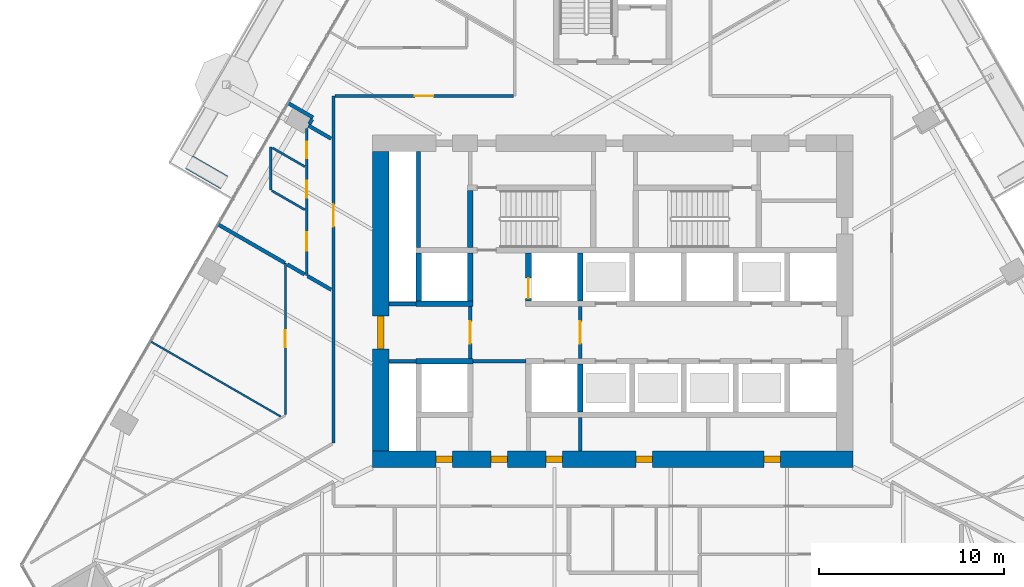
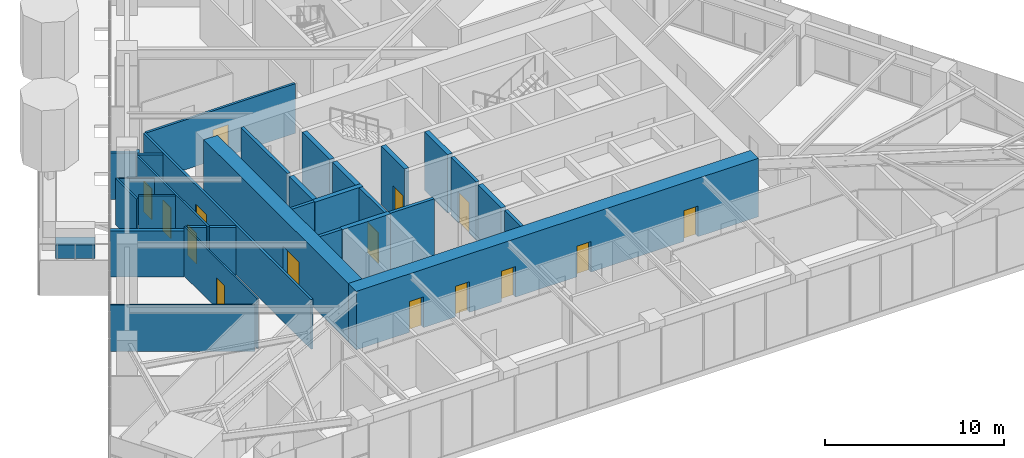
# One storey, part 17 of 25: 32 walls, 15 doors, 15 openings.
"""IFC4 building model written with IfcOpenShell, lengths in metres."""

from ifc_helpers import new_model, si_unit, direction, frame, frame_2d, origin, place, context, subcontext, project, spatial, rectangle, extrude, material, layer, layer_set, type_object, element, fill, save


model = new_model("IFC4")

# Units and contexts
model_context = context("Model", 3, precision=1e-05, world=origin(), true_north=direction((0.0, 1.0)))
body_context = subcontext(model_context, "Body", "Model", "MODEL_VIEW")
ifc_project = project(units=[si_unit("LENGTHUNIT", "METRE"), si_unit("AREAUNIT", "SQUARE_METRE"), si_unit("VOLUMEUNIT", "CUBIC_METRE"), si_unit("PLANEANGLEUNIT", "RADIAN"), si_unit("MASSUNIT", "GRAM", prefix="KILO")], contexts=[model_context])

# Site, building, storey
site_placement = place(None, origin())
site = spatial("IfcSite", under=ifc_project, at=site_placement, CompositionType="ELEMENT")
building_placement = place(site_placement, origin())
building = spatial("IfcBuilding", under=site, at=building_placement, Name="Firuza Gate Tower and Library", CompositionType="ELEMENT")
storey_placement = place(building_placement, frame((0.0, 0.0, 86.199951171875)))
storey = spatial("IfcBuildingStorey", under=building, at=storey_placement, Name="L19", CompositionType="ELEMENT", Elevation=86.199951171875)

# Walls
ifc_material_1 = material(Name="Plasterboard on steel studs", Category="steel")
ifc_layer_1 = layer(ifc_material_1, 0.199951171875)
ifc_layer_set_1 = layer_set([ifc_layer_1], Name="Core partition 200 EI 120")
wall_type_1 = type_object("IfcWallType", Name="Core partition 200 EI 120", PredefinedType="PARTITIONING", material=ifc_layer_set_1)
wall_1_placement = place(storey_placement, frame((62.89990234375, 71.75, 0.0), z_axis=(0.0, 0.0, 1.0), x_axis=(1.0, 0.0, 0.0)))
element("IfcWall", 1, at=wall_1_placement, inside=storey, type_object=wall_type_1, Name="Core partition L19 1", PredefinedType="PARTITIONING", context=body_context, shape_type="SweptSolid", body=[
    extrude(rectangle(XDim=1.4501953125, YDim=0.199951171875, at=frame_2d((0.72509765625, 0.0))), origin(), (0.0, 0.0, 1.0), 4.0),
])
wall_2_placement = place(storey_placement, frame((67.449951171875, 71.75, 0.0), z_axis=(0.0, 0.0, 1.0), x_axis=(1.0, 0.0, 0.0)))
element("IfcWall", 2, at=wall_2_placement, inside=storey, type_object=wall_type_1, Name="Core partition L19 2", PredefinedType="PARTITIONING", context=body_context, shape_type="SweptSolid", body=[
    extrude(rectangle(XDim=2.85009765625, YDim=0.199951171875, at=frame_2d((1.425048828125, 0.0))), origin(), (0.0, 0.0, 1.0), 4.0),
])
wall_3_placement = place(storey_placement, frame((62.89990234375, 74.85009765625, 0.0), z_axis=(0.0, 0.0, 1.0), x_axis=(1.0, 0.0, 0.0)))
element("IfcWall", 3, at=wall_3_placement, inside=storey, type_object=wall_type_1, Name="Core partition L19 3", PredefinedType="PARTITIONING", context=body_context, shape_type="SweptSolid", body=[
    extrude(rectangle(XDim=1.4501953125, YDim=0.199951171875, at=frame_2d((0.72509765625, 0.0))), origin(), (0.0, 0.0, 1.0), 4.0),
])
wall_4_placement = place(storey_placement, frame((64.5, 77.89990234375, 0.0), z_axis=(0.0, 0.0, 1.0), x_axis=(0.0, 1.0, 0.0)))
element("IfcWall", 4, at=wall_4_placement, inside=storey, type_object=wall_type_1, Name="Core partition L19 6", PredefinedType="PARTITIONING", context=body_context, shape_type="SweptSolid", body=[
    extrude(rectangle(XDim=5.2001953125, YDim=0.199951171875, at=frame_2d((2.60009765625, 0.0))), origin(), (0.0, 0.0, 1.0), 4.0),
])
wall_5_placement = place(storey_placement, frame((73.25, 66.89990234375, 0.0), z_axis=(0.0, 0.0, 1.0), x_axis=(0.0, 1.0, 0.0)))
element("IfcWall", 5, at=wall_5_placement, inside=storey, type_object=wall_type_1, Name="Core partition L19 11", PredefinedType="PARTITIONING", context=body_context, shape_type="SweptSolid", body=[
    extrude(rectangle(XDim=1.800048828125, YDim=0.199951171875, at=frame_2d((0.89990234375, 0.0))), origin(), (0.0, 0.0, 1.0), 4.0),
])

# Wall, opening, door
ifc_material_2 = material(Name="Plasterboard on steel studs", Category="steel")
ifc_layer_2 = layer(ifc_material_2, 0.199951171875)
ifc_layer_set_2 = layer_set([ifc_layer_2], Name="Core partition 200 EI 60")
wall_type_2 = type_object("IfcWallType", Name="Core partition 200 EI 60", PredefinedType="PARTITIONING", material=ifc_layer_set_2)
wall_6_placement = place(storey_placement, frame((67.300048828125, 71.89990234375, 0.0), z_axis=(0.0, 0.0, 1.0), x_axis=(0.0, 1.0, 0.0)))
wall_6 = element("IfcWall", 6, at=wall_6_placement, inside=storey, type_object=wall_type_2, Name="Core partition L19 8", PredefinedType="PARTITIONING", context=body_context, shape_type="SweptSolid", body=[
    extrude(rectangle(XDim=2.800048828125, YDim=0.199951171875, at=frame_2d((1.39990234375, 0.0))), origin(), (0.0, 0.0, 1.0), 4.0),
])
opening_1_placement = place(wall_6_placement, frame((0.800048828125, 0.0, 0.0)))
opening_1 = element("IfcOpeningElement", 7, at=opening_1_placement, cuts=wall_6, Name="Opening L19-K21", PredefinedType="OPENING", context=body_context, shape_type="SweptSolid", body=[
    extrude(rectangle(XDim=1.199951171875, YDim=2.10009765625, at=frame_2d((0.60009765625, 1.050048828125))), frame((0.0, 0.10986328125, 0.0), z_axis=(0.0, -1.0, 0.0), x_axis=(1.0, 0.0, 0.0)), (0.0, 0.0, 1.0), 0.219970703125),
])
ifc_material_3 = material(Name="Steel", Category="steel")
door_type_1 = type_object("IfcDoorType", Name="Fire door 1200x2100 FD90S", OperationType="NOTDEFINED", PredefinedType="DOOR", material=ifc_material_3)
door_1_placement = place(opening_1_placement, origin())
door_1 = element("IfcDoor", 8, at=door_1_placement, inside=storey, type_object=door_type_1, Name="Door L19-K21", OperationType="SINGLE_SWING_RIGHT", OverallHeight=2.10009765625, OverallWidth=1.199951171875, PredefinedType="DOOR", context=body_context, shape_type="SweptSolid", body=[
    extrude(rectangle(XDim=1.199951171875, YDim=2.10009765625, at=frame_2d((0.60009765625, 1.050048828125))), frame((0.0, 0.02490234375, 0.0), z_axis=(0.0, -1.0, 0.0), x_axis=(1.0, 0.0, 0.0)), (0.0, 0.0, 1.0), 0.050048828125),
])
fill(opening_1, door_1)

wall_7_placement = place(storey_placement, frame((73.25, 71.89990234375, 0.0), z_axis=(0.0, 0.0, 1.0), x_axis=(0.0, 1.0, 0.0)))
wall_7 = element("IfcWall", 9, at=wall_7_placement, inside=storey, type_object=wall_type_2, Name="Core partition L19 12", PredefinedType="PARTITIONING", context=body_context, shape_type="SweptSolid", body=[
    extrude(rectangle(XDim=2.800048828125, YDim=0.199951171875, at=frame_2d((1.39990234375, 0.0))), origin(), (0.0, 0.0, 1.0), 4.0),
])
opening_2_placement = place(wall_7_placement, frame((0.800048828125, 0.0, 0.0)))
opening_2 = element("IfcOpeningElement", 10, at=opening_2_placement, cuts=wall_7, Name="Opening L19-K20", PredefinedType="OPENING", context=body_context, shape_type="SweptSolid", body=[
    extrude(rectangle(XDim=1.199951171875, YDim=2.10009765625, at=frame_2d((0.60009765625, 1.050048828125))), frame((0.0, 0.10986328125, 0.0), z_axis=(0.0, -1.0, 0.0), x_axis=(1.0, 0.0, 0.0)), (0.0, 0.0, 1.0), 0.219970703125),
])
door_2_placement = place(opening_2_placement, origin())
door_2 = element("IfcDoor", 11, at=door_2_placement, inside=storey, type_object=door_type_1, Name="Door L19-K20", OperationType="SINGLE_SWING_LEFT", OverallHeight=2.10009765625, OverallWidth=1.199951171875, PredefinedType="DOOR", context=body_context, shape_type="SweptSolid", body=[
    extrude(rectangle(XDim=1.199951171875, YDim=2.10009765625, at=frame_2d((0.60009765625, 1.050048828125))), frame((0.0, 0.02490234375, 0.0), z_axis=(0.0, -1.0, 0.0), x_axis=(1.0, 0.0, 0.0)), (0.0, 0.0, 1.0), 0.050048828125),
])
fill(opening_2, door_2)

# Walls
ifc_material_4 = material(Name="Concrete C80/95", Category="concrete")
ifc_layer_3 = layer(ifc_material_4, 0.300048828125)
ifc_layer_set_3 = layer_set([ifc_layer_3], Name="Core wall 300 C80/95")
wall_type_3 = type_object("IfcWallType", Name="Core wall 300 C80/95", PredefinedType="SHEAR", material=ifc_layer_set_3)
for number, where, z_axis, x_axis, name in (
    (12, (64.35009765625, 71.75, 0.0), (0.0, 0.0, 1.0), (1.0, 0.0, 0.0), "Core wall L19 7"),
    (13, (64.35009765625, 74.85009765625, 0.0), (0.0, 0.0, 1.0), (1.0, 0.0, 0.0), "Core wall L19 9"),
):
    element("IfcWall", number, at=place(storey_placement, frame(where, z_axis=z_axis, x_axis=x_axis)), inside=storey, type_object=wall_type_3, Name=name, PredefinedType="SHEAR", context=body_context, shape_type="SweptSolid", body=[
        extrude(rectangle(XDim=3.099853515625, YDim=0.300048828125, at=frame_2d((1.5498046875, 0.0))), origin(), (0.0, 0.0, 1.0), 4.0),
    ])
for number, where, z_axis, x_axis, name in (
    (14, (64.5, 75.0, 0.0), (0.0, 0.0, 1.0), (0.0, 1.0, 0.0), "Core wall L19 12"),
    (15, (67.300048828125, 75.0, 0.0), (0.0, 0.0, 1.0), (0.0, 1.0, 0.0), "Core wall L19 14"),
):
    element("IfcWall", number, at=place(storey_placement, frame(where, z_axis=z_axis, x_axis=x_axis)), inside=storey, type_object=wall_type_3, Name=name, PredefinedType="SHEAR", context=body_context, shape_type="SweptSolid", body=[
        extrude(rectangle(XDim=2.60009765625, YDim=0.300048828125, at=frame_2d((1.300048828125, 0.0))), origin(), (0.0, 0.0, 1.0), 4.0),
    ])

# Wall, opening, door
wall_8_placement = place(storey_placement, frame((70.449951171875, 75.0, 0.0), z_axis=(0.0, 0.0, 1.0), x_axis=(0.0, 1.0, 0.0)))
wall_8 = element("IfcWall", 16, at=wall_8_placement, inside=storey, type_object=wall_type_3, Name="Core wall L19 16", PredefinedType="SHEAR", context=body_context, shape_type="SweptSolid", body=[
    extrude(rectangle(XDim=2.60009765625, YDim=0.300048828125, at=frame_2d((1.300048828125, 0.0))), origin(), (0.0, 0.0, 1.0), 4.0),
])
opening_3_placement = place(wall_8_placement, frame((0.14990234375, 0.0, 0.0)))
opening_3 = element("IfcOpeningElement", 17, at=opening_3_placement, cuts=wall_8, Name="Opening LD-FF2-L19", PredefinedType="OPENING", context=body_context, shape_type="SweptSolid", body=[
    extrude(rectangle(XDim=1.10009765625, YDim=2.10009765625, at=frame_2d((0.550048828125, 1.050048828125))), frame((0.0, 0.16015625, 0.0), z_axis=(0.0, -1.0, 0.0), x_axis=(1.0, 0.0, 0.0)), (0.0, 0.0, 1.0), 0.320068359375),
])
ifc_material_5 = material(Name="Stainless steel", Category="steel")
door_type_2 = type_object("IfcDoorType", Name="Lift landing door 1100x2100", OperationType="DOUBLE_DOOR_SLIDING", PredefinedType="DOOR", material=ifc_material_5)
door_3_placement = place(opening_3_placement, origin())
door_3 = element("IfcDoor", 18, at=door_3_placement, inside=storey, type_object=door_type_2, Name="Landing door FF2 L19", OperationType="DOUBLE_DOOR_SLIDING", OverallHeight=2.10009765625, OverallWidth=1.10009765625, PredefinedType="DOOR", context=body_context, shape_type="SweptSolid", body=[
    extrude(rectangle(XDim=1.10009765625, YDim=2.10009765625, at=frame_2d((0.550048828125, 1.050048828125))), frame((0.0, 0.02490234375, 0.0), z_axis=(0.0, -1.0, 0.0), x_axis=(1.0, 0.0, 0.0)), (0.0, 0.0, 1.0), 0.050048828125),
])
fill(opening_3, door_3)

# Walls
for number, where, z_axis, x_axis, name in (
    (19, (73.25, 69.0, 0.0), (0.0, 0.0, 1.0), (0.0, 1.0, 0.0), "Core wall L19 17"),
    (20, (73.25, 75.0, 0.0), (0.0, 0.0, 1.0), (0.0, 1.0, 0.0), "Core wall L19 18"),
):
    element("IfcWall", number, at=place(storey_placement, frame(where, z_axis=z_axis, x_axis=x_axis)), inside=storey, type_object=wall_type_3, Name=name, PredefinedType="SHEAR", context=body_context, shape_type="SweptSolid", body=[
        extrude(rectangle(XDim=2.60009765625, YDim=0.300048828125, at=frame_2d((1.300048828125, 0.0))), origin(), (0.0, 0.0, 1.0), 4.0),
    ])
wall_9_placement = place(storey_placement, frame((67.300048828125, 77.89990234375, 0.0), z_axis=(0.0, 0.0, 1.0), x_axis=(0.0, 1.0, 0.0)))
element("IfcWall", 21, at=wall_9_placement, inside=storey, type_object=wall_type_3, Name="Core wall L19 30", PredefinedType="SHEAR", context=body_context, shape_type="SweptSolid", body=[
    extrude(rectangle(XDim=3.080078125, YDim=0.300048828125, at=frame_2d((1.5400390625, 0.0))), origin(), (0.0, 0.0, 1.0), 4.0),
])

# Wall, openings, doors
ifc_material_6 = material(Name="Concrete C80/95", Category="concrete")
ifc_layer_4 = layer(ifc_material_6, 0.89990234375)
ifc_layer_set_4 = layer_set([ifc_layer_4], Name="Core wall 900 C80/95")
wall_type_4 = type_object("IfcWallType", Name="Core wall 900 C80/95", PredefinedType="SHEAR", material=ifc_layer_set_4)
wall_10_placement = place(storey_placement, frame((62.0, 66.449951171875, 0.0), z_axis=(0.0, 0.0, 1.0), x_axis=(1.0, 0.0, 0.0)))
wall_10 = element("IfcWall", 22, at=wall_10_placement, inside=storey, type_object=wall_type_4, Name="Core wall L19 1", PredefinedType="SHEAR", context=body_context, shape_type="SweptSolid", body=[
    extrude(rectangle(XDim=26.0, YDim=0.89990234375, at=frame_2d((13.0, 0.0))), origin(), (0.0, 0.0, 1.0), 4.0),
])
opening_4_placement = place(wall_10_placement, frame((3.449951171875, 0.0, 0.0)))
opening_4 = element("IfcOpeningElement", 23, at=opening_4_placement, cuts=wall_10, Name="Opening L19-K24", PredefinedType="OPENING", context=body_context, shape_type="SweptSolid", body=[
    extrude(rectangle(XDim=0.89990234375, YDim=2.10009765625, at=frame_2d((0.449951171875, 1.050048828125))), frame((0.0, 0.4599609375, 0.0), z_axis=(0.0, -1.0, 0.0), x_axis=(1.0, 0.0, 0.0)), (0.0, 0.0, 1.0), 0.919921875),
])
opening_5_placement = place(wall_10_placement, frame((6.425048828125, 0.0, 0.0)))
opening_5 = element("IfcOpeningElement", 24, at=opening_5_placement, cuts=wall_10, Name="Opening L19-K25", PredefinedType="OPENING", context=body_context, shape_type="SweptSolid", body=[
    extrude(rectangle(XDim=0.89990234375, YDim=2.10009765625, at=frame_2d((0.449951171875, 1.050048828125))), frame((0.0, 0.4599609375, 0.0), z_axis=(0.0, -1.0, 0.0), x_axis=(1.0, 0.0, 0.0)), (0.0, 0.0, 1.0), 0.919921875),
])
opening_6_placement = place(wall_10_placement, frame((9.39990234375, 0.0, 0.0)))
opening_6 = element("IfcOpeningElement", 25, at=opening_6_placement, cuts=wall_10, Name="Opening L19-K26", PredefinedType="OPENING", context=body_context, shape_type="SweptSolid", body=[
    extrude(rectangle(XDim=0.89990234375, YDim=2.10009765625, at=frame_2d((0.449951171875, 1.050048828125))), frame((0.0, 0.4599609375, 0.0), z_axis=(0.0, -1.0, 0.0), x_axis=(1.0, 0.0, 0.0)), (0.0, 0.0, 1.0), 0.919921875),
])
opening_7_placement = place(wall_10_placement, frame((14.262451171875, 0.0, 0.0)))
opening_7 = element("IfcOpeningElement", 26, at=opening_7_placement, cuts=wall_10, Name="Opening L19-K27", PredefinedType="OPENING", context=body_context, shape_type="SweptSolid", body=[
    extrude(rectangle(XDim=0.89990234375, YDim=2.10009765625, at=frame_2d((0.449951171875, 1.050048828125))), frame((0.0, 0.4599609375, 0.0), z_axis=(0.0, -1.0, 0.0), x_axis=(1.0, 0.0, 0.0)), (0.0, 0.0, 1.0), 0.919921875),
])
opening_8_placement = place(wall_10_placement, frame((21.1875, 0.0, 0.0)))
opening_8 = element("IfcOpeningElement", 27, at=opening_8_placement, cuts=wall_10, Name="Opening L19-K28", PredefinedType="OPENING", context=body_context, shape_type="SweptSolid", body=[
    extrude(rectangle(XDim=0.89990234375, YDim=2.10009765625, at=frame_2d((0.449951171875, 1.050048828125))), frame((0.0, 0.4599609375, 0.0), z_axis=(0.0, -1.0, 0.0), x_axis=(1.0, 0.0, 0.0)), (0.0, 0.0, 1.0), 0.919921875),
])
ifc_material_7 = material(Name="Steel", Category="steel")
door_type_3 = type_object("IfcDoorType", Name="Fire door 900x2100 FD30S", OperationType="NOTDEFINED", PredefinedType="DOOR", material=ifc_material_7)
door_4_placement = place(opening_4_placement, origin())
door_4 = element("IfcDoor", 28, at=door_4_placement, inside=storey, type_object=door_type_3, Name="Door L19-K24", OperationType="SINGLE_SWING_LEFT", OverallHeight=2.10009765625, OverallWidth=0.89990234375, PredefinedType="DOOR", context=body_context, shape_type="SweptSolid", body=[
    extrude(rectangle(XDim=0.89990234375, YDim=2.10009765625, at=frame_2d((0.449951171875, 1.050048828125))), frame((0.0, 0.169921875, 0.0), z_axis=(0.0, -1.0, 0.0), x_axis=(1.0, 0.0, 0.0)), (0.0, 0.0, 1.0), 0.33984375),
])
fill(opening_4, door_4)
door_5_placement = place(opening_5_placement, origin())
door_5 = element("IfcDoor", 29, at=door_5_placement, inside=storey, type_object=door_type_3, Name="Door L19-K25", OperationType="SINGLE_SWING_RIGHT", OverallHeight=2.10009765625, OverallWidth=0.89990234375, PredefinedType="DOOR", context=body_context, shape_type="SweptSolid", body=[
    extrude(rectangle(XDim=0.89990234375, YDim=2.10009765625, at=frame_2d((0.449951171875, 1.050048828125))), frame((0.0, 0.169921875, 0.0), z_axis=(0.0, -1.0, 0.0), x_axis=(1.0, 0.0, 0.0)), (0.0, 0.0, 1.0), 0.33984375),
])
fill(opening_5, door_5)
door_6_placement = place(opening_6_placement, origin())
door_6 = element("IfcDoor", 30, at=door_6_placement, inside=storey, type_object=door_type_3, Name="Door L19-K26", OperationType="SINGLE_SWING_LEFT", OverallHeight=2.10009765625, OverallWidth=0.89990234375, PredefinedType="DOOR", context=body_context, shape_type="SweptSolid", body=[
    extrude(rectangle(XDim=0.89990234375, YDim=2.10009765625, at=frame_2d((0.449951171875, 1.050048828125))), frame((0.0, 0.169921875, 0.0), z_axis=(0.0, -1.0, 0.0), x_axis=(1.0, 0.0, 0.0)), (0.0, 0.0, 1.0), 0.33984375),
])
fill(opening_6, door_6)
door_7_placement = place(opening_7_placement, origin())
door_7 = element("IfcDoor", 31, at=door_7_placement, inside=storey, type_object=door_type_3, Name="Door L19-K27", OperationType="SINGLE_SWING_RIGHT", OverallHeight=2.10009765625, OverallWidth=0.89990234375, PredefinedType="DOOR", context=body_context, shape_type="SweptSolid", body=[
    extrude(rectangle(XDim=0.89990234375, YDim=2.10009765625, at=frame_2d((0.449951171875, 1.050048828125))), frame((0.0, 0.169921875, 0.0), z_axis=(0.0, -1.0, 0.0), x_axis=(1.0, 0.0, 0.0)), (0.0, 0.0, 1.0), 0.33984375),
])
fill(opening_7, door_7)
door_8_placement = place(opening_8_placement, origin())
door_8 = element("IfcDoor", 32, at=door_8_placement, inside=storey, type_object=door_type_3, Name="Door L19-K28", OperationType="SINGLE_SWING_LEFT", OverallHeight=2.10009765625, OverallWidth=0.89990234375, PredefinedType="DOOR", context=body_context, shape_type="SweptSolid", body=[
    extrude(rectangle(XDim=0.89990234375, YDim=2.10009765625, at=frame_2d((0.449951171875, 1.050048828125))), frame((0.0, 0.169921875, 0.0), z_axis=(0.0, -1.0, 0.0), x_axis=(1.0, 0.0, 0.0)), (0.0, 0.0, 1.0), 0.33984375),
])
fill(opening_8, door_8)

# Wall, opening, door
wall_11_placement = place(storey_placement, frame((62.449951171875, 66.89990234375, 0.0), z_axis=(0.0, 0.0, 1.0), x_axis=(0.0, 1.0, 0.0)))
wall_11 = element("IfcWall", 33, at=wall_11_placement, inside=storey, type_object=wall_type_4, Name="Core wall L19 3", PredefinedType="SHEAR", context=body_context, shape_type="SweptSolid", body=[
    extrude(rectangle(XDim=16.2001953125, YDim=0.89990234375, at=frame_2d((8.10009765625, 0.0))), origin(), (0.0, 0.0, 1.0), 4.0),
])
opening_9_placement = place(wall_11_placement, frame((5.5, 0.0, 0.0)))
opening_9 = element("IfcOpeningElement", 34, at=opening_9_placement, cuts=wall_11, Name="Opening L19-K22", PredefinedType="OPENING", context=body_context, shape_type="SweptSolid", body=[
    extrude(rectangle(XDim=1.800048828125, YDim=2.10009765625, at=frame_2d((0.89990234375, 1.050048828125))), frame((0.0, 0.4599609375, 0.0), z_axis=(0.0, -1.0, 0.0), x_axis=(1.0, 0.0, 0.0)), (0.0, 0.0, 1.0), 0.919921875),
])
ifc_material_8 = material(Name="Steel", Category="steel")
door_type_4 = type_object("IfcDoorType", Name="Fire door 1800x2100 FD30S", OperationType="NOTDEFINED", PredefinedType="DOOR", material=ifc_material_8)
door_9_placement = place(opening_9_placement, origin())
door_9 = element("IfcDoor", 35, at=door_9_placement, inside=storey, type_object=door_type_4, Name="Door L19-K22", OperationType="SINGLE_SWING_LEFT", OverallHeight=2.10009765625, OverallWidth=1.800048828125, PredefinedType="DOOR", context=body_context, shape_type="SweptSolid", body=[
    extrude(rectangle(XDim=1.800048828125, YDim=2.10009765625, at=frame_2d((0.89990234375, 1.050048828125))), frame((0.0, 0.169921875, 0.0), z_axis=(0.0, -1.0, 0.0), x_axis=(1.0, 0.0, 0.0)), (0.0, 0.0, 1.0), 0.33984375),
])
fill(opening_9, door_9)

ifc_material_9 = material(Name="Gypsum board partition")
ifc_layer_5 = layer(ifc_material_9, 0.14990234375)
ifc_layer_set_5 = layer_set([ifc_layer_5], Name="Corridor wall 150 double board on steel studs")
wall_type_5 = type_object("IfcWallType", Name="Corridor wall 150 double board on steel studs", PredefinedType="PARTITIONING", material=ifc_layer_set_5)
wall_12_placement = place(storey_placement, frame((59.97802734375, 86.10009765625, 0.0), z_axis=(0.0, 0.0, 1.0), x_axis=(1.0, 0.0, 0.0)))
wall_12 = element("IfcWall", 36, at=wall_12_placement, inside=storey, type_object=wall_type_5, Name="f:L19:w005", PredefinedType="PARTITIONING", context=body_context, shape_type="SweptSolid", body=[
    extrude(rectangle(XDim=9.64697265625, YDim=0.14990234375, at=frame_2d((4.823486328125, 0.0))), origin(), (0.0, 0.0, 1.0), 3.400146484375),
])
opening_10_placement = place(wall_12_placement, frame((4.323486328125, 0.0, 0.0)))
opening_10 = element("IfcOpeningElement", 37, at=opening_10_placement, cuts=wall_12, Name="Opening L19-10", PredefinedType="OPENING", context=body_context, shape_type="SweptSolid", body=[
    extrude(rectangle(XDim=1.0, YDim=2.10009765625, at=frame_2d((0.5, 1.050048828125))), frame((0.0, 0.0849609375, 0.0), z_axis=(0.0, -1.0, 0.0), x_axis=(1.0, 0.0, 0.0)), (0.0, 0.0, 1.0), 0.169921875),
])
ifc_material_10 = material(Name="Steel door and timber leaf", Category="steel")
door_type_5 = type_object("IfcDoorType", Name="Fire door 1000 x 2100 steel frame, timber leaf", OperationType="NOTDEFINED", PredefinedType="DOOR", material=ifc_material_10)
door_10_placement = place(opening_10_placement, origin())
door_10 = element("IfcDoor", 38, at=door_10_placement, inside=storey, type_object=door_type_5, Name="f:L19:d010", OperationType="SINGLE_SWING_LEFT", OverallHeight=2.10009765625, OverallWidth=1.0, PredefinedType="DOOR", context=body_context, shape_type="SweptSolid", body=[
    extrude(rectangle(XDim=1.0, YDim=2.10009765625, at=frame_2d((0.5, 1.050048828125))), frame((0.0, 0.02490234375, 0.0), z_axis=(0.0, -1.0, 0.0), x_axis=(1.0, 0.0, 0.0)), (0.0, 0.0, 1.0), 0.050048828125),
])
fill(opening_10, door_10)

wall_13_placement = place(storey_placement, frame((59.89990234375, 67.3212890625, 0.0), z_axis=(0.0, 0.0, 1.0), x_axis=(0.0, 1.0, 0.0)))
wall_13 = element("IfcWall", 39, at=wall_13_placement, inside=storey, type_object=wall_type_5, Name="f:L19:w047", PredefinedType="PARTITIONING", context=body_context, shape_type="SweptSolid", body=[
    extrude(rectangle(XDim=18.775634765625, YDim=0.14990234375, at=frame_2d((9.3876953125, 0.0))), origin(), (0.0, 0.0, 1.0), 3.400146484375),
])
opening_11_placement = place(wall_13_placement, frame((11.7109375, 0.0, 0.0)))
opening_11 = element("IfcOpeningElement", 40, at=opening_11_placement, cuts=wall_13, Name="Opening L19-25", PredefinedType="OPENING", context=body_context, shape_type="SweptSolid", body=[
    extrude(rectangle(XDim=1.199951171875, YDim=2.10009765625, at=frame_2d((0.60009765625, 1.050048828125))), frame((0.0, 0.0849609375, 0.0), z_axis=(0.0, -1.0, 0.0), x_axis=(1.0, 0.0, 0.0)), (0.0, 0.0, 1.0), 0.169921875),
])
ifc_material_11 = material(Name="Steel door and timber leaf", Category="steel")
door_type_6 = type_object("IfcDoorType", Name="Fire door 1200 x 2100 steel frame, double leaf", OperationType="NOTDEFINED", PredefinedType="DOOR", material=ifc_material_11)
door_11_placement = place(opening_11_placement, origin())
door_11 = element("IfcDoor", 41, at=door_11_placement, inside=storey, type_object=door_type_6, Name="f:L19:d025", OperationType="DOUBLE_DOOR_SINGLE_SWING", OverallHeight=2.10009765625, OverallWidth=1.199951171875, PredefinedType="DOOR", context=body_context, shape_type="SweptSolid", body=[
    extrude(rectangle(XDim=1.199951171875, YDim=2.10009765625, at=frame_2d((0.60009765625, 1.050048828125))), frame((0.0, 0.02490234375, 0.0), z_axis=(0.0, -1.0, 0.0), x_axis=(1.0, 0.0, 0.0)), (0.0, 0.0, 1.0), 0.050048828125),
])
fill(opening_11, door_11)

# Walls
ifc_material_12 = material(Name="Gypsum board partition")
ifc_layer_6 = layer(ifc_material_12, 0.199951171875)
ifc_layer_set_6 = layer_set([ifc_layer_6], Name="Demising wall 200 acoustic double stud")
wall_type_6 = type_object("IfcWallType", Name="Demising wall 200 acoustic double stud", PredefinedType="PARTITIONING", material=ifc_layer_set_6)
wall_14_placement = place(storey_placement, frame((58.594970703125, 84.58740234375, 0.0), z_axis=(0.0, 0.0, 1.0), x_axis=(0.499769970942, 0.866158170397, 0.0)))
element("IfcWall", 42, at=wall_14_placement, inside=storey, type_object=wall_type_6, Name="f:L19:w028", PredefinedType="PARTITIONING", context=body_context, shape_type="SweptSolid", body=[
    extrude(rectangle(XDim=0.296630859375, YDim=0.199951171875, at=frame_2d((0.1484375, 0.0))), origin(), (0.0, 0.0, 1.0), 3.400146484375),
])
wall_15_placement = place(storey_placement, frame((58.792236328125, 84.93505859375, 0.0), z_axis=(0.0, 0.0, 1.0), x_axis=(-0.866073306909, 0.499917020175, 0.0)))
element("IfcWall", 43, at=wall_15_placement, inside=storey, type_object=wall_type_6, Name="f:L19:w064", PredefinedType="PARTITIONING", context=body_context, shape_type="SweptSolid", body=[
    extrude(rectangle(XDim=1.556884765625, YDim=0.199951171875, at=frame_2d((0.7783203125, 0.0))), origin(), (0.0, 0.0, 1.0), 3.1650390625),
])
wall_16_placement = place(storey_placement, frame((59.773193359375, 83.791259765625, 0.0), z_axis=(0.0, 0.0, 1.0), x_axis=(-0.865999255827, 0.500045286857, 0.0)))
element("IfcWall", 44, at=wall_16_placement, inside=storey, type_object=wall_type_6, Name="f:L19:w065", PredefinedType="PARTITIONING", context=body_context, shape_type="SweptSolid", body=[
    extrude(rectangle(XDim=1.418212890625, YDim=0.199951171875, at=frame_2d((0.708984375, 0.0))), origin(), (0.0, 0.0, 1.0), 3.400146484375),
])
wall_17_placement = place(storey_placement, frame((59.773193359375, 75.61962890625, 0.0), z_axis=(0.0, 0.0, 1.0), x_axis=(-0.866056109487, 0.499946812391, 0.0)))
element("IfcWall", 45, at=wall_17_placement, inside=storey, type_object=wall_type_6, Name="f:L19:w072", PredefinedType="PARTITIONING", context=body_context, shape_type="SweptSolid", body=[
    extrude(rectangle(XDim=1.475830078125, YDim=0.199951171875, at=frame_2d((0.73779296875, 0.0))), origin(), (0.0, 0.0, 1.0), 3.400146484375),
])
wall_18_placement = place(storey_placement, frame((58.340087890625, 76.447021484375, 0.0), z_axis=(0.0, 0.0, 1.0), x_axis=(-0.866062005839, 0.499936598022, 0.0)))
element("IfcWall", 46, at=wall_18_placement, inside=storey, type_object=wall_type_6, Name="f:L19:w082", PredefinedType="PARTITIONING", context=body_context, shape_type="SweptSolid", body=[
    extrude(rectangle(XDim=1.085693359375, YDim=0.199951171875, at=frame_2d((0.54296875, 0.0))), origin(), (0.0, 0.0, 1.0), 3.400146484375),
])
wall_19_placement = place(storey_placement, frame((57.2626953125, 77.069091796875, 0.0), z_axis=(0.0, 0.0, 1.0), x_axis=(-0.866048944448, 0.499959224157, 0.0)))
element("IfcWall", 47, at=wall_19_placement, inside=storey, type_object=wall_type_6, Name="f:L19:w083", PredefinedType="PARTITIONING", context=body_context, shape_type="SweptSolid", body=[
    extrude(rectangle(XDim=4.165283203125, YDim=0.199951171875, at=frame_2d((2.08251953125, 0.0))), origin(), (0.0, 0.0, 1.0), 3.1650390625),
])

# Wall, opening, door
ifc_material_13 = material(Name="Gypsum board partition")
ifc_layer_7 = layer(ifc_material_13, 0.10009765625)
ifc_layer_set_7 = layer_set([ifc_layer_7], Name="Partition 100 gypsum board on steel studs")
wall_type_7 = type_object("IfcWallType", Name="Partition 100 gypsum board on steel studs", PredefinedType="PARTITIONING", material=ifc_layer_set_7)
wall_20_placement = place(storey_placement, frame((57.300048828125, 68.880126953125, 0.0), z_axis=(0.0, 0.0, 1.0), x_axis=(0.0, 1.0, 0.0)))
wall_20 = element("IfcWall", 48, at=wall_20_placement, inside=storey, type_object=wall_type_7, Name="f:L19:w050", PredefinedType="PARTITIONING", context=body_context, shape_type="SweptSolid", body=[
    extrude(rectangle(XDim=8.1669921875, YDim=0.10009765625, at=frame_2d((4.08349609375, 0.0))), origin(), (0.0, 0.0, 1.0), 3.400146484375),
])
opening_12_placement = place(wall_20_placement, frame((3.633544921875, 0.0, 0.0)))
opening_12 = element("IfcOpeningElement", 49, at=opening_12_placement, cuts=wall_20, Name="Opening L19-29", PredefinedType="OPENING", context=body_context, shape_type="SweptSolid", body=[
    extrude(rectangle(XDim=0.89990234375, YDim=2.10009765625, at=frame_2d((0.449951171875, 1.050048828125))), frame((0.0, 0.06005859375, 0.0), z_axis=(0.0, -1.0, 0.0), x_axis=(1.0, 0.0, 0.0)), (0.0, 0.0, 1.0), 0.1201171875),
])
ifc_material_14 = material(Name="Timber door", Category="wood")
door_type_7 = type_object("IfcDoorType", Name="Door 900 x 2100 timber leaf", OperationType="NOTDEFINED", PredefinedType="DOOR", material=ifc_material_14)
door_12_placement = place(opening_12_placement, origin())
door_12 = element("IfcDoor", 50, at=door_12_placement, inside=storey, type_object=door_type_7, Name="f:L19:d029", OperationType="SINGLE_SWING_RIGHT", OverallHeight=2.10009765625, OverallWidth=0.89990234375, PredefinedType="DOOR", context=body_context, shape_type="SweptSolid", body=[
    extrude(rectangle(XDim=0.89990234375, YDim=2.10009765625, at=frame_2d((0.449951171875, 1.050048828125))), frame((0.0, 0.02490234375, 0.0), z_axis=(0.0, -1.0, 0.0), x_axis=(1.0, 0.0, 0.0)), (0.0, 0.0, 1.0), 0.050048828125),
])
fill(opening_12, door_12)

# Walls
wall_21_placement = place(storey_placement, frame((57.0400390625, 68.76025390625, 0.0), z_axis=(0.0, 0.0, 1.0), x_axis=(-0.866036506983, 0.499980768202, 0.0)))
element("IfcWall", 51, at=wall_21_placement, inside=storey, type_object=wall_type_7, Name="f:L19:w073", PredefinedType="PARTITIONING", context=body_context, shape_type="SweptSolid", body=[
    extrude(rectangle(XDim=8.126708984375, YDim=0.10009765625, at=frame_2d((4.0634765625, 0.0))), origin(), (0.0, 0.0, 1.0), 3.1650390625),
])
ifc_material_15 = material(Name="Concrete C40/50", Category="concrete")
ifc_layer_8 = layer(ifc_material_15, 0.800048828125)
ifc_layer_set_8 = layer_set([ifc_layer_8], Name="Planter wall 800")
wall_type_8 = type_object("IfcWallType", Name="Planter wall 800", PredefinedType="SOLIDWALL", material=ifc_layer_set_8)
wall_22_placement = place(storey_placement, frame((52.089599609375, 82.51953125, 0.0), z_axis=(0.0, 0.0, 1.0), x_axis=(0.866008176907, -0.50002983664, 0.0)))
element("IfcWall", 52, at=wall_22_placement, inside=storey, type_object=wall_type_8, Name="PLANTER L19 5", PredefinedType="SOLIDWALL", context=body_context, shape_type="SweptSolid", body=[
    extrude(rectangle(XDim=2.199951171875, YDim=0.800048828125, at=frame_2d((1.10009765625, 0.0))), origin(), (0.0, 0.0, 1.0), 0.900146484375),
])

# Wall, openings, doors
ifc_material_16 = material(Name="Gypsum board partition")
ifc_layer_9 = layer(ifc_material_16, 0.1201171875)
ifc_layer_set_9 = layer_set([ifc_layer_9], Name="Wet-area partition 120 moisture-resistant board")
wall_type_9 = type_object("IfcWallType", Name="Wet-area partition 120 moisture-resistant board", PredefinedType="PARTITIONING", material=ifc_layer_set_9)
wall_23_placement = place(storey_placement, frame((58.449951171875, 84.3359375, 0.0), z_axis=(0.0, 0.0, 1.0), x_axis=(0.0, -1.0, 0.0)))
wall_23 = element("IfcWall", 53, at=wall_23_placement, inside=storey, type_object=wall_type_9, Name="f:L19:w049", PredefinedType="PARTITIONING", context=body_context, shape_type="SweptSolid", body=[
    extrude(rectangle(XDim=7.95263671875, YDim=0.1201171875, at=frame_2d((3.976318359375, 0.0))), origin(), (0.0, 0.0, 1.0), 3.400146484375),
])
opening_13_placement = place(wall_23_placement, frame((0.70947265625, 0.0, 0.0)))
opening_13 = element("IfcOpeningElement", 54, at=opening_13_placement, cuts=wall_23, Name="Opening L19-26", PredefinedType="OPENING", context=body_context, shape_type="SweptSolid", body=[
    extrude(rectangle(XDim=0.89990234375, YDim=2.10009765625, at=frame_2d((0.449951171875, 1.050048828125))), frame((0.0, 0.070068359375, 0.0), z_axis=(0.0, -1.0, 0.0), x_axis=(1.0, 0.0, 0.0)), (0.0, 0.0, 1.0), 0.14013671875),
])
opening_14_placement = place(wall_23_placement, frame((2.8330078125, 0.0, 0.0)))
opening_14 = element("IfcOpeningElement", 55, at=opening_14_placement, cuts=wall_23, Name="Opening L19-27", PredefinedType="OPENING", context=body_context, shape_type="SweptSolid", body=[
    extrude(rectangle(XDim=0.89990234375, YDim=2.10009765625, at=frame_2d((0.449951171875, 1.050048828125))), frame((0.0, 0.070068359375, 0.0), z_axis=(0.0, -1.0, 0.0), x_axis=(1.0, 0.0, 0.0)), (0.0, 0.0, 1.0), 0.14013671875),
])
opening_15_placement = place(wall_23_placement, frame((5.599853515625, 0.0, 0.0)))
opening_15 = element("IfcOpeningElement", 56, at=opening_15_placement, cuts=wall_23, Name="Opening L19-28", PredefinedType="OPENING", context=body_context, shape_type="SweptSolid", body=[
    extrude(rectangle(XDim=1.0, YDim=2.10009765625, at=frame_2d((0.5, 1.050048828125))), frame((0.0, 0.070068359375, 0.0), z_axis=(0.0, -1.0, 0.0), x_axis=(1.0, 0.0, 0.0)), (0.0, 0.0, 1.0), 0.14013671875),
])
ifc_material_17 = material(Name="Timber door", Category="wood")
door_type_8 = type_object("IfcDoorType", Name="Door 1000 x 2100 timber leaf", OperationType="NOTDEFINED", PredefinedType="DOOR", material=ifc_material_17)
door_13_placement = place(opening_15_placement, origin())
door_13 = element("IfcDoor", 57, at=door_13_placement, inside=storey, type_object=door_type_8, Name="f:L19:d028", OperationType="SINGLE_SWING_LEFT", OverallHeight=2.10009765625, OverallWidth=1.0, PredefinedType="DOOR", context=body_context, shape_type="SweptSolid", body=[
    extrude(rectangle(XDim=1.0, YDim=2.10009765625, at=frame_2d((0.5, 1.050048828125))), frame((0.0, 0.02490234375, 0.0), z_axis=(0.0, -1.0, 0.0), x_axis=(1.0, 0.0, 0.0)), (0.0, 0.0, 1.0), 0.050048828125),
])
fill(opening_15, door_13)
door_14_placement = place(opening_13_placement, origin())
door_14 = element("IfcDoor", 58, at=door_14_placement, inside=storey, type_object=door_type_7, Name="f:L19:d026", OperationType="SINGLE_SWING_LEFT", OverallHeight=2.10009765625, OverallWidth=0.89990234375, PredefinedType="DOOR", context=body_context, shape_type="SweptSolid", body=[
    extrude(rectangle(XDim=0.89990234375, YDim=2.10009765625, at=frame_2d((0.449951171875, 1.050048828125))), frame((0.0, 0.02490234375, 0.0), z_axis=(0.0, -1.0, 0.0), x_axis=(1.0, 0.0, 0.0)), (0.0, 0.0, 1.0), 0.050048828125),
])
fill(opening_13, door_14)
door_15_placement = place(opening_14_placement, origin())
door_15 = element("IfcDoor", 59, at=door_15_placement, inside=storey, type_object=door_type_7, Name="f:L19:d027", OperationType="SINGLE_SWING_RIGHT", OverallHeight=2.10009765625, OverallWidth=0.89990234375, PredefinedType="DOOR", context=body_context, shape_type="SweptSolid", body=[
    extrude(rectangle(XDim=0.89990234375, YDim=2.10009765625, at=frame_2d((0.449951171875, 1.050048828125))), frame((0.0, 0.02490234375, 0.0), z_axis=(0.0, -1.0, 0.0), x_axis=(1.0, 0.0, 0.0)), (0.0, 0.0, 1.0), 0.050048828125),
])
fill(opening_14, door_15)

# Walls
wall_24_placement = place(storey_placement, frame((56.5, 81.011474609375, 0.0), z_axis=(0.0, 0.0, 1.0), x_axis=(0.0, 1.0, 0.0)))
element("IfcWall", 60, at=wall_24_placement, inside=storey, type_object=wall_type_9, Name="f:L19:w051", PredefinedType="PARTITIONING", context=body_context, shape_type="SweptSolid", body=[
    extrude(rectangle(XDim=2.337646484375, YDim=0.1201171875, at=frame_2d((1.1689453125, 0.0))), origin(), (0.0, 0.0, 1.0), 3.1650390625),
])
wall_25_placement = place(storey_placement, frame((58.35546875, 82.275146484375, 0.0), z_axis=(0.0, 0.0, 1.0), x_axis=(-0.866069607179, 0.499923429657, 0.0)))
element("IfcWall", 61, at=wall_25_placement, inside=storey, type_object=wall_type_9, Name="f:L19:w068", PredefinedType="PARTITIONING", context=body_context, shape_type="SweptSolid", body=[
    extrude(rectangle(XDim=2.032958984375, YDim=0.1201171875, at=frame_2d((1.0166015625, 0.0))), origin(), (0.0, 0.0, 1.0), 3.1650390625),
])
wall_26_placement = place(storey_placement, frame((58.35546875, 79.940185546875, 0.0), z_axis=(0.0, 0.0, 1.0), x_axis=(-0.866038486578, 0.499977339252, 0.0)))
element("IfcWall", 62, at=wall_26_placement, inside=storey, type_object=wall_type_9, Name="f:L19:w071", PredefinedType="PARTITIONING", context=body_context, shape_type="SweptSolid", body=[
    extrude(rectangle(XDim=2.07275390625, YDim=0.1201171875, at=frame_2d((1.036376953125, 0.0))), origin(), (0.0, 0.0, 1.0), 3.400146484375),
])

save(model, "model.ifc")
